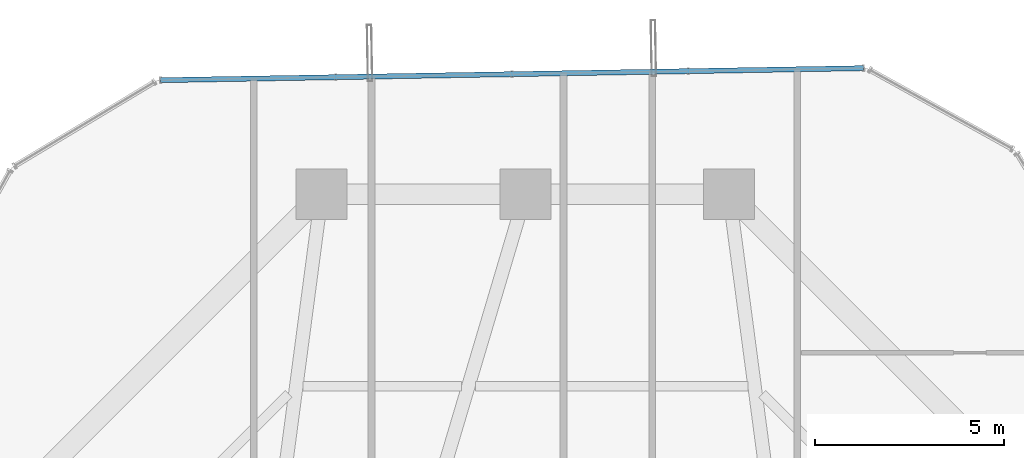
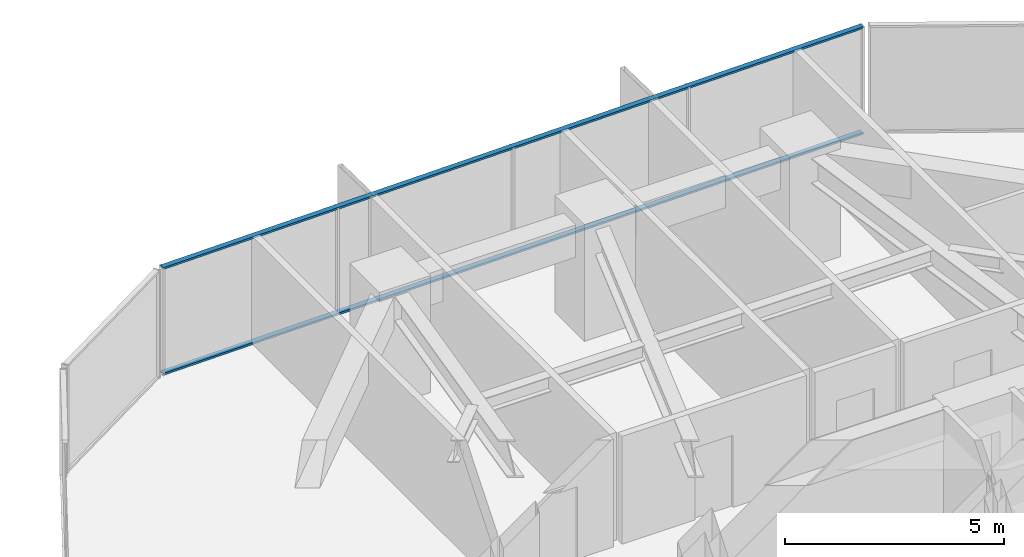
# One storey, part 28 of 39: 2 members, 1 element without a shape of its own.
"""IFC4 building model written with IfcOpenShell, lengths in metres."""

from ifc_helpers import new_model, si_unit, direction, frame, origin, origin_2d, place, context, subcontext, project, spatial, hollow_rectangle, extrude, source, transform, mapped, material, layer, layer_set, material_profile, profile_set, type_object, element, aggregate, save


model = new_model("IFC4")

# Units and contexts
model_context = context("Model", 3, precision=1e-05, world=origin(), true_north=direction((0.0, 1.0)))
body_context = subcontext(model_context, "Body", "Model", "MODEL_VIEW")
ifc_project = project(units=[si_unit("LENGTHUNIT", "METRE"), si_unit("AREAUNIT", "SQUARE_METRE"), si_unit("VOLUMEUNIT", "CUBIC_METRE"), si_unit("PLANEANGLEUNIT", "RADIAN"), si_unit("MASSUNIT", "GRAM", prefix="KILO")], contexts=[model_context])

# Site, building, storey
site_placement = place(None, origin())
site = spatial("IfcSite", under=ifc_project, at=site_placement, CompositionType="ELEMENT")
building_placement = place(site_placement, origin())
building = spatial("IfcBuilding", under=site, at=building_placement, Name="Veraguas Prism Commons", CompositionType="ELEMENT")
storey_placement = place(building_placement, frame((0.0, 0.0, 27.300048828125)))
storey = spatial("IfcBuildingStorey", under=building, at=storey_placement, Name="L06", CompositionType="ELEMENT", Elevation=27.300048828125)

# Curtain wall, members
ifc_material = material(Name="Anodised aluminium EN AW-6063 T6", Category="aluminium")
ifc_layer = layer(ifc_material, 0.169921875, Name="Unitised Flush Curtain Wall Zone 1", Category="aluminium")
ifc_layer_set = layer_set([ifc_layer], Name="Anodised aluminium EN AW-6063 T6")
curtain_wall_type = type_object("IfcCurtainWallType", Name="Unitised Flush Curtain Wall Zone 1", PredefinedType="NOTDEFINED", material=ifc_layer_set)
curtain_wall_placement = place(storey_placement, origin())
curtain_wall = element("IfcCurtainWall", 1, at=curtain_wall_placement, inside=storey, type_object=curtain_wall_type, Name="Tower Facade Curtain Wall L06-F2", PredefinedType="NOTDEFINED")
ifc_material_profile = material_profile(ifc_material, hollow_rectangle(XDim=0.054931640625, YDim=0.135009765625, WallThickness=0.0029296875, at=origin_2d()), Name="AL55X135X3")
ifc_profile_set = profile_set([ifc_material_profile], Name="Anodised aluminium EN AW-6063 T6")
member_type = type_object("IfcMemberType", Name="Curtain Wall Transom Standard AL 55x135x3", PredefinedType="USERDEFINED", material=ifc_profile_set)
shared_shape = source(origin(), body_context, "Body", "SweptSolid", [
    extrude(hollow_rectangle(XDim=0.054931640625, YDim=0.135009765625, WallThickness=0.0029296875, at=origin_2d()), origin(), (0.0, 0.0, 1.0), 18.623779296875),
])
member_1_placement = place(storey_placement, frame((32.955078125, 44.94091796875, 0.02734375), z_axis=(-0.999853659202, -0.017107313631, 0.0), x_axis=(0.0, 0.0, 1.0)))
member_1 = element("IfcMember", 2, at=member_1_placement, type_object=member_type, Name="CW-Z1 Transom 1", ObjectType="TRANSOM", PredefinedType="USERDEFINED", context=body_context, shape_type="MappedRepresentation", body=[
    mapped(shared_shape, transform((0.0, 0.0, 0.0), scale=1.0)),
])
member_2_placement = place(storey_placement, frame((32.955078125, 44.94091796875, 2.972412109375), z_axis=(-0.999853659202, -0.017107313631, 0.0), x_axis=(0.0, 0.0, 1.0)))
member_2 = element("IfcMember", 3, at=member_2_placement, type_object=member_type, Name="CW-Z1 Transom 2", ObjectType="TRANSOM", PredefinedType="USERDEFINED", context=body_context, shape_type="MappedRepresentation", body=[
    mapped(shared_shape, transform((0.0, 0.0, 0.0), scale=1.0)),
])
aggregate(curtain_wall, [member_1, member_2])

save(model, "model.ifc")
